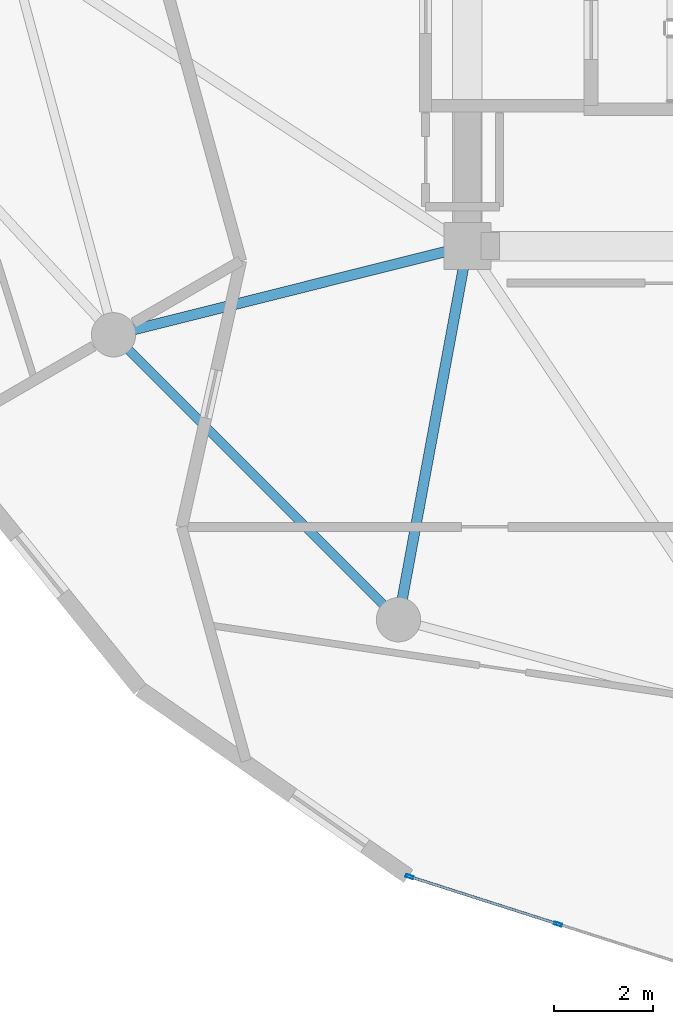
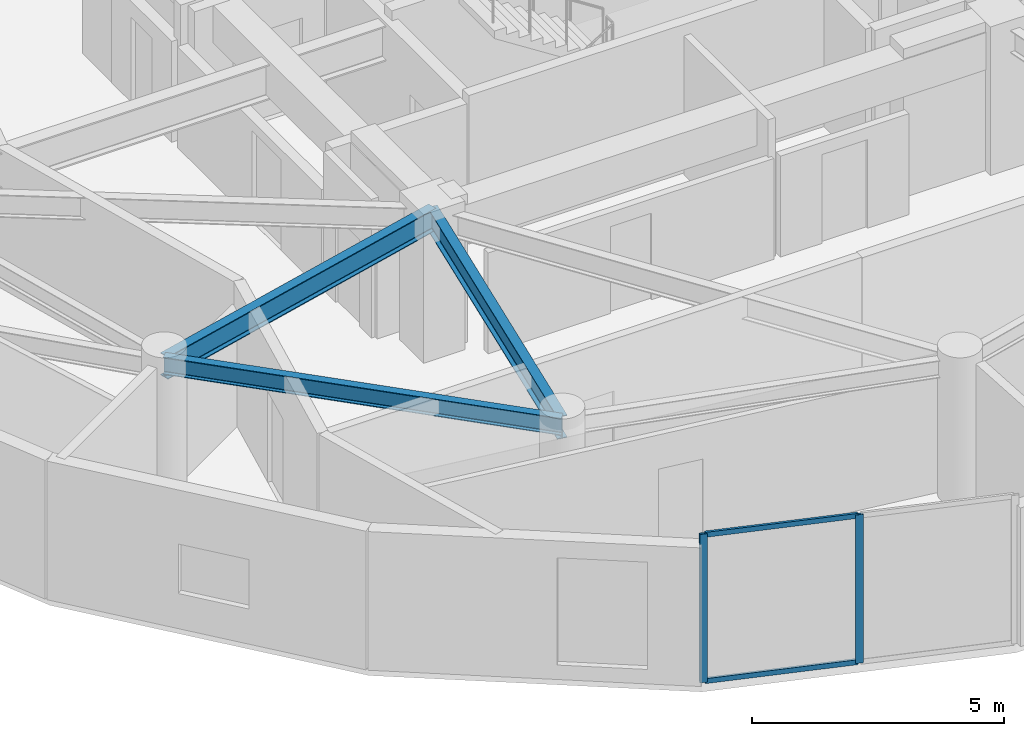
# One storey, part 2 of 18: 4 members, 3 beams, 1 element without a shape of its own.
"""IFC4 building model written with IfcOpenShell, lengths in metres."""

from ifc_helpers import new_model, si_unit, direction, frame, origin, origin_2d, place, context, subcontext, project, spatial, hollow_rectangle, i_section, extrude, source, transform, mapped, material, layer, layer_set, material_profile, profile_set, type_object, element, aggregate, save


model = new_model("IFC4")

# Units and contexts
model_context = context("Model", 3, precision=1e-05, world=origin(), true_north=direction((0.0, 1.0)))
body_context = subcontext(model_context, "Body", "Model", "MODEL_VIEW")
ifc_project = project(units=[si_unit("LENGTHUNIT", "METRE"), si_unit("AREAUNIT", "SQUARE_METRE"), si_unit("VOLUMEUNIT", "CUBIC_METRE"), si_unit("PLANEANGLEUNIT", "RADIAN"), si_unit("MASSUNIT", "GRAM", prefix="KILO")], contexts=[model_context])

# Site, building, storey
site_placement = place(None, origin())
site = spatial("IfcSite", under=ifc_project, at=site_placement, CompositionType="ELEMENT")
building_placement = place(site_placement, origin())
building = spatial("IfcBuilding", under=site, at=building_placement, Name="Solvirekh Grand Hotel", CompositionType="ELEMENT")
storey_placement = place(building_placement, frame((0.0, 0.0, 187.60009765625)))
storey = spatial("IfcBuildingStorey", under=building, at=storey_placement, Name="L48", CompositionType="ELEMENT", Elevation=187.60009765625)

# Beams
ifc_material_1 = material(Name="Steel S355", Category="steel")
ifc_material_profile_1 = material_profile(ifc_material_1, i_section(OverallWidth=0.2119140625, OverallDepth=0.5439453125, WebThickness=0.011962890625, FlangeThickness=0.01904296875, FilletRadius=0.013916015625, at=origin_2d()), Name="W530X123")
ifc_profile_set_1 = profile_set([ifc_material_profile_1], Name="Steel S355")
beam_type_1 = type_object("IfcBeamType", Name="Beam_Radial_W530H", PredefinedType="BEAM", material=ifc_profile_set_1)
beam_1_placement = place(storey_placement, frame((-6.5, -6.10009765625, 3.087890625), z_axis=(-0.970014367692, -0.243047580675, 0.0), x_axis=(0.243047580675, -0.970014367692, 0.0)))
element("IfcBeam", 1, at=beam_1_placement, inside=storey, type_object=beam_type_1, Name="L48 radial floor beam R08", PredefinedType="BEAM", context=body_context, shape_type="SweptSolid", body=[
    extrude(i_section(OverallWidth=0.2119140625, OverallDepth=0.5439453125, WebThickness=0.011962890625, FlangeThickness=0.01904296875, FilletRadius=0.013916015625, at=origin_2d()), origin(), (0.0, 0.0, 1.0), 7.4052734375),
])
beam_2_placement = place(storey_placement, frame((-6.5, -6.10009765625, 3.087890625), z_axis=(-0.181542769111, -0.983383049978, 0.0), x_axis=(0.983383049978, -0.181542769111, 0.0)))
element("IfcBeam", 2, at=beam_2_placement, inside=storey, type_object=beam_type_1, Name="L48 radial floor beam R09", PredefinedType="BEAM", context=body_context, shape_type="SweptSolid", body=[
    extrude(i_section(OverallWidth=0.2119140625, OverallDepth=0.5439453125, WebThickness=0.011962890625, FlangeThickness=0.01904296875, FilletRadius=0.013916015625, at=origin_2d()), origin(), (0.0, 0.0, 1.0), 7.711181640625),
])
ifc_material_profile_2 = material_profile(ifc_material_1, i_section(OverallWidth=0.180908203125, OverallDepth=0.4169921875, WebThickness=0.010009765625, FlangeThickness=0.01611328125, FilletRadius=0.011962890625, at=origin_2d()), Name="W410X85")
ifc_profile_set_2 = profile_set([ifc_material_profile_2], Name="Steel S355")
beam_type_2 = type_object("IfcBeamType", Name="Spandrel_Ring_W410", PredefinedType="SPANDREL", material=ifc_profile_set_2)
beam_3_placement = place(storey_placement, frame((-13.68310546875, -7.89990234375, 3.15185546875), z_axis=(0.707106781187, -0.707106781187, 0.0), x_axis=(0.707106781187, 0.707106781187, 0.0)))
element("IfcBeam", 3, at=beam_3_placement, inside=storey, type_object=beam_type_2, Name="L48 perimeter spandrel beam 8", PredefinedType="SPANDREL", context=body_context, shape_type="SweptSolid", body=[
    extrude(i_section(OverallWidth=0.180908203125, OverallDepth=0.4169921875, WebThickness=0.010009765625, FlangeThickness=0.01611328125, FilletRadius=0.011962890625, at=origin_2d()), origin(), (0.0, 0.0, 1.0), 8.1787109375),
])

# Curtain wall, members
ifc_material_2 = material(Name="Anodized Bronze Aluminium 6063-T6", Category="aluminium")
ifc_layer = layer(ifc_material_2, 0.159912109375)
ifc_layer_set = layer_set([ifc_layer], Name="Anodized Bronze Aluminium 6063-T6")
curtain_wall_type = type_object("IfcCurtainWallType", Name="CW_Sys4_HighZoneFlushBronzeCW", PredefinedType="NOTDEFINED", material=ifc_layer_set)
curtain_wall_placement = place(storey_placement, origin())
curtain_wall = element("IfcCurtainWall", 4, at=curtain_wall_placement, inside=storey, type_object=curtain_wall_type, Name="L48 unitised bronze-glass curtain wall CW-L48-C18", PredefinedType="NOTDEFINED")
ifc_material_profile_3 = material_profile(ifc_material_2, hollow_rectangle(XDim=0.06005859375, YDim=0.159912109375, WallThickness=0.0048828125, at=origin_2d()), Name="ALU RHS 160X60X5")
ifc_profile_set_3 = profile_set([ifc_material_profile_3], Name="Anodized Bronze Aluminium 6063-T6")
member_type_1 = type_object("IfcMemberType", Name="CWMullion_Sys4", PredefinedType="MULLION", material=ifc_profile_set_3)
shared_shape_1 = source(origin(), body_context, "Body", "SweptSolid", [
    extrude(hollow_rectangle(XDim=0.06005859375, YDim=0.159912109375, WallThickness=0.0048828125, at=origin_2d()), origin(), (0.0, 0.0, 1.0), 3.599853515625),
])
member_1_placement = place(storey_placement, frame((-7.67333984375, -18.898193359375, 0.0), z_axis=(0.0, 0.0, 1.0), x_axis=(0.3047019063, 0.952447766703, 0.0)))
member_1 = element("IfcMember", 5, at=member_1_placement, type_object=member_type_1, Name="U04 mullion 1", PredefinedType="MULLION", context=body_context, shape_type="MappedRepresentation", body=[
    mapped(shared_shape_1, transform((0.0, 0.0, 0.0), x_axis=(1.0, 0.0, 0.0), y_axis=(0.0, 1.0, 0.0), z_axis=(0.0, 0.0, 1.0), scale=1.0)),
])
member_2_placement = place(storey_placement, frame((-4.658935546875, -19.862548828125, 0.0), z_axis=(0.0, 0.0, 1.0), x_axis=(0.3047019063, 0.952447766703, 0.0)))
member_2 = element("IfcMember", 6, at=member_2_placement, type_object=member_type_1, Name="U04 mullion 2", PredefinedType="MULLION", context=body_context, shape_type="MappedRepresentation", body=[
    mapped(shared_shape_1, transform((0.0, 0.0, 0.0), x_axis=(1.0, 0.0, 0.0), y_axis=(0.0, 1.0, 0.0), z_axis=(0.0, 0.0, 1.0), scale=1.0)),
])
ifc_material_profile_4 = material_profile(ifc_material_2, hollow_rectangle(XDim=0.054931640625, YDim=0.1201171875, WallThickness=0.00390625, at=origin_2d()), Name="ALU RHS 120X55X4")
ifc_profile_set_4 = profile_set([ifc_material_profile_4], Name="Anodized Bronze Aluminium 6063-T6")
member_type_2 = type_object("IfcMemberType", Name="CWTransom_Sys4", PredefinedType="USERDEFINED", material=ifc_profile_set_4)
shared_shape_2 = source(origin(), body_context, "Body", "SweptSolid", [
    extrude(hollow_rectangle(XDim=0.054931640625, YDim=0.1201171875, WallThickness=0.00390625, at=origin_2d()), origin(), (0.0, 0.0, 1.0), 3.10498046875),
])
member_3_placement = place(storey_placement, frame((-7.644775390625, -18.9072265625, 0.02734375), z_axis=(0.952450620041, -0.304692987093, 0.0), x_axis=(0.304692987093, 0.952450620041, 0.0)))
member_3 = element("IfcMember", 7, at=member_3_placement, type_object=member_type_2, Name="U04 transom 1.1", ObjectType="TRANSOM", PredefinedType="USERDEFINED", context=body_context, shape_type="MappedRepresentation", body=[
    mapped(shared_shape_2, transform((0.0, 0.0, 0.0), x_axis=(1.0, 0.0, 0.0), y_axis=(0.0, 1.0, 0.0), z_axis=(0.0, 0.0, 1.0), scale=1.0)),
])
member_4_placement = place(storey_placement, frame((-7.644775390625, -18.9072265625, 3.572509765625), z_axis=(0.952450620041, -0.304692987093, 0.0), x_axis=(0.304692987093, 0.952450620041, 0.0)))
member_4 = element("IfcMember", 8, at=member_4_placement, type_object=member_type_2, Name="U04 transom 1.2", ObjectType="TRANSOM", PredefinedType="USERDEFINED", context=body_context, shape_type="MappedRepresentation", body=[
    mapped(shared_shape_2, transform((0.0, 0.0, 0.0), x_axis=(1.0, 0.0, 0.0), y_axis=(0.0, 1.0, 0.0), z_axis=(0.0, 0.0, 1.0), scale=1.0)),
])
aggregate(curtain_wall, [member_1, member_2, member_3, member_4])

save(model, "model.ifc")
